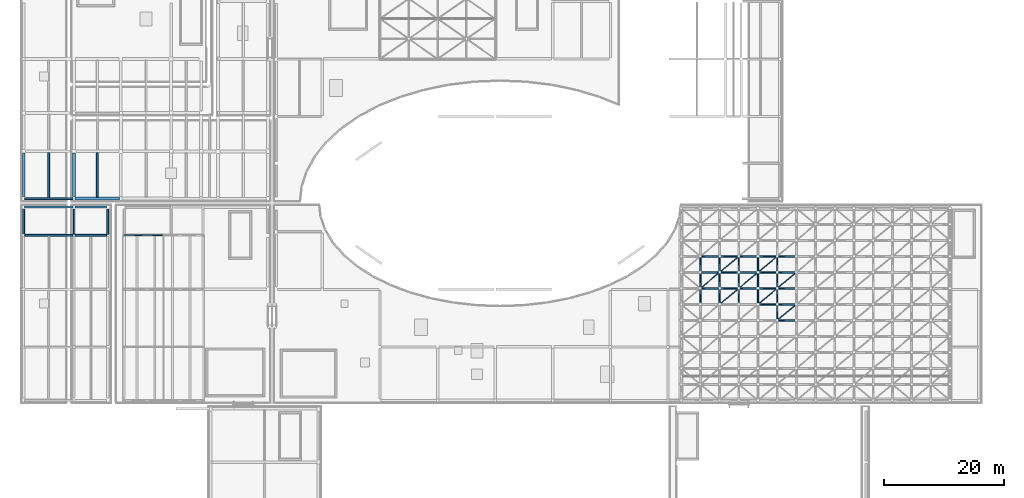
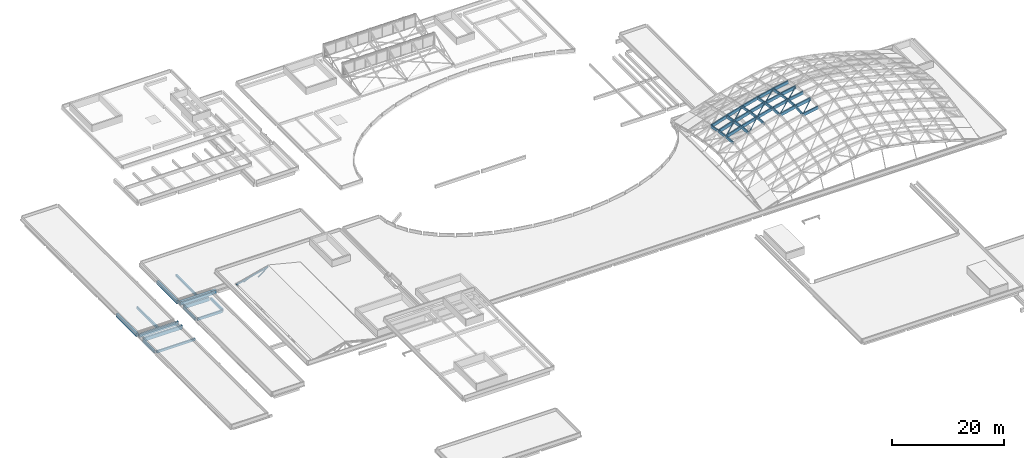
# One storey, part 8 of 40: 45 members, 13 beams.
"""IFC4 building model written with IfcOpenShell, lengths in metres."""

from ifc_helpers import new_model, si_unit, direction, frame, origin, origin_2d, place, context, subcontext, project, spatial, rectangle, hollow_rectangle, hollow_circle, extrude, material, material_profile, profile_set, type_object, element, save


model = new_model("IFC4")

# Units and contexts
model_context = context("Model", 3, precision=1e-05, world=origin(), true_north=direction((0.0, 1.0)))
body_context = subcontext(model_context, "Body", "Model", "MODEL_VIEW")
ifc_project = project(units=[si_unit("LENGTHUNIT", "METRE"), si_unit("AREAUNIT", "SQUARE_METRE"), si_unit("VOLUMEUNIT", "CUBIC_METRE"), si_unit("PLANEANGLEUNIT", "RADIAN"), si_unit("MASSUNIT", "GRAM", prefix="KILO")], contexts=[model_context])

# Site, building, storey
site_placement = place(None, origin())
site = spatial("IfcSite", under=ifc_project, at=site_placement, CompositionType="ELEMENT")
building_placement = place(site_placement, origin())
building = spatial("IfcBuilding", under=site, at=building_placement, Name="Mzevani Central Library", CompositionType="ELEMENT")
storey_placement = place(building_placement, frame((0.0, 0.0, 26.699951171875)))
storey = spatial("IfcBuildingStorey", under=building, at=storey_placement, Name="RF", CompositionType="ELEMENT", Elevation=26.699951171875)

# Members
ifc_material_1 = material(Name="Steel S355J2", Category="steel")
ifc_material_profile_1 = material_profile(ifc_material_1, hollow_rectangle(XDim=0.199951171875, YDim=0.300048828125, WallThickness=0.012451171875, at=origin_2d()), Name="RHS 300x200x12.5")
ifc_profile_set_1 = profile_set([ifc_material_profile_1], Name="Steel S355J2")
member_type_1 = type_object("IfcMemberType", Name="Auditorium Top Chord RHS 300x200", PredefinedType="CHORD", material=ifc_profile_set_1)
member_1_placement = place(storey_placement, frame((21.35009765625, 70.60009765625, -12.909912109375), z_axis=(0.96992814932, 0.0, 0.243391423753), x_axis=(0.0, 1.0, 0.0)))
element("IfcMember", 1, at=member_1_placement, inside=storey, type_object=member_type_1, Name="RF Auditorium Truss 4 West Top Chord", PredefinedType="CHORD", context=body_context, shape_type="SweptSolid", body=[
    extrude(hollow_rectangle(XDim=0.199951171875, YDim=0.300048828125, WallThickness=0.012451171875, at=origin_2d()), origin(), (0.0, 0.0, 1.0), 6.77880859375),
])
ifc_material_profile_2 = material_profile(ifc_material_1, hollow_circle(Radius=0.122314453125, WallThickness=0.012451171875, at=origin_2d()), Name="CHS 244.5x12.5")
ifc_profile_set_2 = profile_set([ifc_material_profile_2], Name="Steel S355J2")
member_type_2 = type_object("IfcMemberType", Name="Auditorium Truss Strut CHS 244.5", PredefinedType="BRACE", material=ifc_profile_set_2)
member_2_placement = place(storey_placement, frame((25.83740234375, 70.60009765625, -12.8798828125), z_axis=(0.790058150896, 0.0, 0.61303190635), x_axis=(0.0, 1.0, 0.0)))
element("IfcMember", 2, at=member_2_placement, inside=storey, type_object=member_type_2, Name="RF Auditorium Truss 4 Web 2", PredefinedType="BRACE", context=body_context, shape_type="SweptSolid", body=[
    extrude(hollow_circle(Radius=0.122314453125, WallThickness=0.012451171875, at=origin_2d()), origin(), (0.0, 0.0, 1.0), 2.642333984375),
])
ifc_material_profile_3 = material_profile(ifc_material_1, hollow_circle(Radius=0.109619140625, WallThickness=0.012451171875, at=origin_2d()), Name="CHS 219.1x12.5")
ifc_profile_set_3 = profile_set([ifc_material_profile_3], Name="Steel S355J2")
member_type_3 = type_object("IfcMemberType", Name="Auditorium Truss Web CHS 219.1", PredefinedType="BRACE", material=ifc_profile_set_3)
member_3_placement = place(storey_placement, frame((22.85009765625, 70.60009765625, -12.8798828125), z_axis=(0.913708586053, 0.0, 0.406370052751), x_axis=(0.0, 1.0, 0.0)))
element("IfcMember", 3, at=member_3_placement, inside=storey, type_object=member_type_3, Name="RF Auditorium Truss 4 Web 1", PredefinedType="BRACE", context=body_context, shape_type="SweptSolid", body=[
    extrude(hollow_circle(Radius=0.109619140625, WallThickness=0.012451171875, at=origin_2d()), origin(), (0.0, 0.0, 1.0), 1.9560546875),
])

# Beams
ifc_material_2 = material(Name="Concrete C35/45", Category="concrete")
ifc_material_profile_4 = material_profile(ifc_material_2, rectangle(XDim=0.300048828125, YDim=0.5, at=origin_2d()), Name="RC B300x500")
ifc_profile_set_4 = profile_set([ifc_material_profile_4], Name="Concrete C35/45")
beam_type_1 = type_object("IfcBeamType", Name="Beam RC 300x500", PredefinedType="BEAM", material=ifc_profile_set_4)
beam_1_placement = place(storey_placement, frame((4.824951171875, 70.60009765625, -21.81005859375), z_axis=(1.0, 0.0, 0.0), x_axis=(0.0, 1.0, 0.0)))
element("IfcBeam", 4, at=beam_1_placement, inside=storey, type_object=beam_type_1, Name="RF V5 Girder B-01 (940)", PredefinedType="BEAM", context=body_context, shape_type="SweptSolid", body=[
    extrude(rectangle(XDim=0.300048828125, YDim=0.5, at=origin_2d()), origin(), (0.0, 0.0, 1.0), 7.949951171875),
])
ifc_material_profile_5 = material_profile(ifc_material_2, rectangle(XDim=0.300048828125, YDim=0.550048828125, at=origin_2d()), Name="RC B300x550")
ifc_profile_set_5 = profile_set([ifc_material_profile_5], Name="Concrete C35/45")
beam_type_2 = type_object("IfcBeamType", Name="Beam RC 300x550", PredefinedType="BEAM", material=ifc_profile_set_5)
beam_2_placement = place(storey_placement, frame((13.199951171875, 70.60009765625, -17.635009765625), z_axis=(1.0, 0.0, 0.0), x_axis=(0.0, 1.0, 0.0)))
element("IfcBeam", 5, at=beam_2_placement, inside=storey, type_object=beam_type_2, Name="RF V5 Girder B-02 (989)", PredefinedType="BEAM", context=body_context, shape_type="SweptSolid", body=[
    extrude(rectangle(XDim=0.300048828125, YDim=0.550048828125, at=origin_2d()), origin(), (0.0, 0.0, 1.0), 5.22509765625),
])
beam_3_placement = place(storey_placement, frame((13.0, 70.800048828125, -17.635009765625), z_axis=(0.0, 1.0, 0.0), x_axis=(-1.0, 0.0, 0.0)))
element("IfcBeam", 6, at=beam_3_placement, inside=storey, type_object=beam_type_2, Name="RF V5 Frame Beam B-02 (1001)", PredefinedType="BEAM", context=body_context, shape_type="SweptSolid", body=[
    extrude(rectangle(XDim=0.300048828125, YDim=0.550048828125, at=origin_2d()), origin(), (0.0, 0.0, 1.0), 4.14990234375),
])
beam_4_placement = place(storey_placement, frame((18.60009765625, 70.77490234375, -17.635009765625), z_axis=(0.0, 1.0, 0.0), x_axis=(-1.0, 0.0, 0.0)))
element("IfcBeam", 7, at=beam_4_placement, inside=storey, type_object=beam_type_2, Name="RF V5 Frame Beam B-02 (1005)", PredefinedType="BEAM", context=body_context, shape_type="SweptSolid", body=[
    extrude(rectangle(XDim=0.300048828125, YDim=0.550048828125, at=origin_2d()), origin(), (0.0, 0.0, 1.0), 4.175048828125),
])
ifc_material_profile_6 = material_profile(ifc_material_2, rectangle(XDim=0.300048828125, YDim=0.60009765625, at=origin_2d()), Name="RC B300x600")
ifc_profile_set_6 = profile_set([ifc_material_profile_6], Name="Concrete C35/45")
beam_type_3 = type_object("IfcBeamType", Name="Beam RC 300x600", PredefinedType="BEAM", material=ifc_profile_set_6)
beam_5_placement = place(storey_placement, frame((4.60009765625, 70.824951171875, -21.85986328125), z_axis=(0.0, 1.0, 0.0), x_axis=(-1.0, 0.0, 0.0)))
element("IfcBeam", 8, at=beam_5_placement, inside=storey, type_object=beam_type_3, Name="RF V5 Frame Beam B-03 (954)", PredefinedType="BEAM", context=body_context, shape_type="SweptSolid", body=[
    extrude(rectangle(XDim=0.300048828125, YDim=0.60009765625, at=origin_2d()), origin(), (0.0, 0.0, 1.0), 4.125),
])
ifc_material_3 = material(Name="Precast concrete C40/50", Category="concrete")
ifc_material_profile_7 = material_profile(ifc_material_3, rectangle(XDim=0.35009765625, YDim=0.800048828125, at=origin_2d()), Name="RC SP350x800")
ifc_profile_set_7 = profile_set([ifc_material_profile_7], Name="Precast concrete C40/50")
beam_type_4 = type_object("IfcBeamType", Name="Colonnade Fascia Beam RC 350x800", PredefinedType="SPANDREL", material=ifc_profile_set_7)
beam_6_placement = place(storey_placement, frame((4.77490234375, 75.300048828125, -21.9599609375), z_axis=(1.0, 0.0, 0.0), x_axis=(0.0, 1.0, 0.0)))
element("IfcBeam", 9, at=beam_6_placement, inside=storey, type_object=beam_type_4, Name="RF V5 Girder SP-02 (945)", PredefinedType="SPANDREL", context=body_context, shape_type="SweptSolid", body=[
    extrude(rectangle(XDim=0.35009765625, YDim=0.800048828125, at=origin_2d()), origin(), (0.0, 0.0, 1.0), 8.050048828125),
])
beam_7_placement = place(storey_placement, frame((13.175048828125, 75.300048828125, -17.760009765625), z_axis=(1.0, 0.0, 0.0), x_axis=(0.0, 1.0, 0.0)))
element("IfcBeam", 10, at=beam_7_placement, inside=storey, type_object=beam_type_4, Name="RF V5 Girder SP-02 (993)", PredefinedType="SPANDREL", context=body_context, shape_type="SweptSolid", body=[
    extrude(rectangle(XDim=0.35009765625, YDim=0.800048828125, at=origin_2d()), origin(), (0.0, 0.0, 1.0), 5.25),
])
ifc_material_profile_8 = material_profile(ifc_material_3, rectangle(XDim=0.300048828125, YDim=0.75, at=origin_2d()), Name="RC SP300x750")
ifc_profile_set_8 = profile_set([ifc_material_profile_8], Name="Precast concrete C40/50")
beam_type_5 = type_object("IfcBeamType", Name="Edge Spandrel Beam RC 300x750", PredefinedType="SPANDREL", material=ifc_profile_set_8)
beam_8_placement = place(storey_placement, frame((4.77490234375, 76.699951171875, -21.93505859375), z_axis=(1.0, 0.0, 0.0), x_axis=(0.0, 1.0, 0.0)))
element("IfcBeam", 11, at=beam_8_placement, inside=storey, type_object=beam_type_5, Name="RF V2 Girder SP-01 (204)", PredefinedType="SPANDREL", context=body_context, shape_type="SweptSolid", body=[
    extrude(rectangle(XDim=0.300048828125, YDim=0.75, at=origin_2d()), origin(), (0.0, 0.0, 1.0), 8.050048828125),
])

# Members
ifc_material_profile_9 = material_profile(ifc_material_1, hollow_circle(Radius=0.05712890625, WallThickness=0.00634765625, at=origin_2d()), Name="CHS 114.3x6.3")
ifc_profile_set_9 = profile_set([ifc_material_profile_9], Name="Steel S355J2")
member_type_4 = type_object("IfcMemberType", Name="Gridshell Diagonal Brace CHS 114.3", PredefinedType="BRACE", material=ifc_profile_set_9)
member_4_placement = place(storey_placement, frame((117.39990234375, 61.7666015625, -8.866455078125), z_axis=(0.759648873515, 0.633021410239, 0.14905530231), x_axis=(-0.640172870191, 0.768230887345, 0.0)))
element("IfcMember", 12, at=member_4_placement, inside=storey, type_object=member_type_4, Name="RF Gridshell Steel Diagonal 2.8", PredefinedType="BRACE", context=body_context, shape_type="SweptSolid", body=[
    extrude(hollow_circle(Radius=0.05712890625, WallThickness=0.00634765625, at=origin_2d()), origin(), (0.0, 0.0, 1.0), 4.212646484375),
])
member_5_placement = place(storey_placement, frame((120.60009765625, 59.10009765625, -7.587890625), z_axis=(0.757247568408, 0.631010753197, 0.168527592664), x_axis=(-0.640167103973, 0.768235692344, 0.0)))
element("IfcMember", 13, at=member_5_placement, inside=storey, type_object=member_type_4, Name="RF Gridshell Steel Diagonal 3.7", PredefinedType="BRACE", context=body_context, shape_type="SweptSolid", body=[
    extrude(hollow_circle(Radius=0.05712890625, WallThickness=0.00634765625, at=origin_2d()), origin(), (0.0, 0.0, 1.0), 4.225830078125),
])
member_6_placement = place(storey_placement, frame((120.60009765625, 64.433349609375, -8.238525390625), z_axis=(0.764152023017, 0.636822503045, 0.102609869574), x_axis=(-0.640201694382, 0.768206867003, 0.0)))
element("IfcMember", 14, at=member_6_placement, inside=storey, type_object=member_type_4, Name="RF Gridshell Steel Diagonal 3.9", PredefinedType="BRACE", context=body_context, shape_type="SweptSolid", body=[
    extrude(hollow_circle(Radius=0.05712890625, WallThickness=0.00634765625, at=origin_2d()), origin(), (0.0, 0.0, 1.0), 4.1875),
])
member_7_placement = place(storey_placement, frame((123.800048828125, 61.7666015625, -6.875732421875), z_axis=(0.764032317897, 0.636722744212, 0.104109385806), x_axis=(-0.640201694382, 0.768206867003, 0.0)))
element("IfcMember", 15, at=member_7_placement, inside=storey, type_object=member_type_4, Name="RF Gridshell Steel Diagonal 4.8", PredefinedType="BRACE", context=body_context, shape_type="SweptSolid", body=[
    extrude(hollow_circle(Radius=0.05712890625, WallThickness=0.00634765625, at=origin_2d()), origin(), (0.0, 0.0, 1.0), 4.188232421875),
])
member_8_placement = place(storey_placement, frame((127.0, 59.10009765625, -5.7890625), z_axis=(0.762964379156, 0.635774544071, 0.116944795737), x_axis=(-0.640167103973, 0.768235692344, 0.0)))
element("IfcMember", 16, at=member_8_placement, inside=storey, type_object=member_type_4, Name="RF Gridshell Steel Diagonal 5.7", PredefinedType="BRACE", context=body_context, shape_type="SweptSolid", body=[
    extrude(hollow_circle(Radius=0.05712890625, WallThickness=0.00634765625, at=origin_2d()), origin(), (0.0, 0.0, 1.0), 4.194091796875),
])
member_9_placement = place(storey_placement, frame((127.0, 64.433349609375, -6.439697265625), z_axis=(0.767250849474, 0.639404976639, 0.049873939403), x_axis=(-0.640201694382, 0.768206867003, 0.0)))
element("IfcMember", 17, at=member_9_placement, inside=storey, type_object=member_type_4, Name="RF Gridshell Steel Diagonal 5.9", PredefinedType="BRACE", context=body_context, shape_type="SweptSolid", body=[
    extrude(hollow_circle(Radius=0.05712890625, WallThickness=0.00634765625, at=origin_2d()), origin(), (0.0, 0.0, 1.0), 4.170654296875),
])
member_10_placement = place(storey_placement, frame((130.199951171875, 56.433349609375, -5.298583984375), z_axis=(0.753897421305, 0.628276610431, 0.192112412235), x_axis=(-0.640201694382, 0.768206867003, 0.0)))
element("IfcMember", 18, at=member_10_placement, inside=storey, type_object=member_type_4, Name="RF Gridshell Steel Diagonal 6.6", PredefinedType="BRACE", context=body_context, shape_type="SweptSolid", body=[
    extrude(hollow_circle(Radius=0.05712890625, WallThickness=0.00634765625, at=origin_2d()), origin(), (0.0, 0.0, 1.0), 4.24462890625),
])
member_11_placement = place(storey_placement, frame((130.199951171875, 61.7666015625, -5.298583984375), z_axis=(0.76760639043, 0.639701274332, 0.039531114179), x_axis=(-0.640201694382, 0.768206867003, 0.0)))
element("IfcMember", 19, at=member_11_placement, inside=storey, type_object=member_type_4, Name="RF Gridshell Steel Diagonal 6.8", PredefinedType="BRACE", context=body_context, shape_type="SweptSolid", body=[
    extrude(hollow_circle(Radius=0.05712890625, WallThickness=0.00634765625, at=origin_2d()), origin(), (0.0, 0.0, 1.0), 4.168701171875),
])
ifc_material_4 = material(Name="Glulam GL28h", Category="wood")
ifc_material_profile_10 = material_profile(ifc_material_4, rectangle(XDim=0.239990234375, YDim=0.6201171875, at=origin_2d()), Name="GL28h 240x620")
ifc_profile_set_10 = profile_set([ifc_material_profile_10], Name="Glulam GL28h")
member_type_5 = type_object("IfcMemberType", Name="Gridshell Primary Rib GL28h 240x620", PredefinedType="RAFTER", material=ifc_profile_set_10)
member_12_placement = place(storey_placement, frame((130.199951171875, 56.433349609375, -5.338623046875), z_axis=(0.984121212692, 0.0, 0.177497714718), x_axis=(0.0, 1.0, 0.0)))
element("IfcMember", 20, at=member_12_placement, inside=storey, type_object=member_type_5, Name="RF Gridshell Glulam Arch Rib X6.6", PredefinedType="RAFTER", context=body_context, shape_type="SweptSolid", body=[
    extrude(rectangle(XDim=0.239990234375, YDim=0.6201171875, at=origin_2d()), origin(), (0.0, 0.0, 1.0), 3.25146484375),
])
member_13_placement = place(storey_placement, frame((117.39990234375, 61.7666015625, -8.906494140625), z_axis=(0.950993540483, 0.0, 0.309210746837), x_axis=(0.0, 1.0, 0.0)))
element("IfcMember", 21, at=member_13_placement, inside=storey, type_object=member_type_5, Name="RF Gridshell Glulam Arch Rib X8.2", PredefinedType="RAFTER", context=body_context, shape_type="SweptSolid", body=[
    extrude(rectangle(XDim=0.239990234375, YDim=0.6201171875, at=origin_2d()), origin(), (0.0, 0.0, 1.0), 3.364990234375),
])
member_14_placement = place(storey_placement, frame((120.60009765625, 61.7666015625, -7.865966796875), z_axis=(0.958629716231, 0.0, 0.284656050627), x_axis=(0.0, 1.0, 0.0)))
element("IfcMember", 22, at=member_14_placement, inside=storey, type_object=member_type_5, Name="RF Gridshell Glulam Arch Rib X8.3", PredefinedType="RAFTER", context=body_context, shape_type="SweptSolid", body=[
    extrude(rectangle(XDim=0.239990234375, YDim=0.6201171875, at=origin_2d()), origin(), (0.0, 0.0, 1.0), 3.338134765625),
])
member_15_placement = place(storey_placement, frame((123.800048828125, 61.7666015625, -6.915771484375), z_axis=(0.966586546506, 0.0, 0.256340492535), x_axis=(0.0, 1.0, 0.0)))
element("IfcMember", 23, at=member_15_placement, inside=storey, type_object=member_type_5, Name="RF Gridshell Glulam Arch Rib X8.4", PredefinedType="RAFTER", context=body_context, shape_type="SweptSolid", body=[
    extrude(rectangle(XDim=0.239990234375, YDim=0.6201171875, at=origin_2d()), origin(), (0.0, 0.0, 1.0), 3.310546875),
])
member_16_placement = place(storey_placement, frame((127.0, 61.7666015625, -6.067138671875), z_axis=(0.975050212006, 0.0, 0.221984423028), x_axis=(0.0, 1.0, 0.0)))
element("IfcMember", 24, at=member_16_placement, inside=storey, type_object=member_type_5, Name="RF Gridshell Glulam Arch Rib X8.5", PredefinedType="RAFTER", context=body_context, shape_type="SweptSolid", body=[
    extrude(rectangle(XDim=0.239990234375, YDim=0.6201171875, at=origin_2d()), origin(), (0.0, 0.0, 1.0), 3.28173828125),
])
member_17_placement = place(storey_placement, frame((130.199951171875, 61.7666015625, -5.338623046875), z_axis=(0.984121212692, 0.0, 0.177497714718), x_axis=(0.0, 1.0, 0.0)))
element("IfcMember", 25, at=member_17_placement, inside=storey, type_object=member_type_5, Name="RF Gridshell Glulam Arch Rib X8.6", PredefinedType="RAFTER", context=body_context, shape_type="SweptSolid", body=[
    extrude(rectangle(XDim=0.239990234375, YDim=0.6201171875, at=origin_2d()), origin(), (0.0, 0.0, 1.0), 3.25146484375),
])
member_18_placement = place(storey_placement, frame((117.39990234375, 67.10009765625, -9.839599609375), z_axis=(0.950993540483, 0.0, 0.309210746837), x_axis=(0.0, 1.0, 0.0)))
element("IfcMember", 26, at=member_18_placement, inside=storey, type_object=member_type_5, Name="RF Gridshell Glulam Arch Rib X10.2", PredefinedType="RAFTER", context=body_context, shape_type="SweptSolid", body=[
    extrude(rectangle(XDim=0.239990234375, YDim=0.6201171875, at=origin_2d()), origin(), (0.0, 0.0, 1.0), 3.364990234375),
])
member_19_placement = place(storey_placement, frame((120.60009765625, 67.10009765625, -8.799072265625), z_axis=(0.958629716231, 0.0, 0.284656050627), x_axis=(0.0, 1.0, 0.0)))
element("IfcMember", 27, at=member_19_placement, inside=storey, type_object=member_type_5, Name="RF Gridshell Glulam Arch Rib X10.3", PredefinedType="RAFTER", context=body_context, shape_type="SweptSolid", body=[
    extrude(rectangle(XDim=0.239990234375, YDim=0.6201171875, at=origin_2d()), origin(), (0.0, 0.0, 1.0), 3.338134765625),
])
member_20_placement = place(storey_placement, frame((123.800048828125, 67.10009765625, -7.848876953125), z_axis=(0.966604816788, 0.0, 0.256271590626), x_axis=(0.0, 1.0, 0.0)))
element("IfcMember", 28, at=member_20_placement, inside=storey, type_object=member_type_5, Name="RF Gridshell Glulam Arch Rib X10.4", PredefinedType="RAFTER", context=body_context, shape_type="SweptSolid", body=[
    extrude(rectangle(XDim=0.239990234375, YDim=0.6201171875, at=origin_2d()), origin(), (0.0, 0.0, 1.0), 3.310546875),
])
member_21_placement = place(storey_placement, frame((127.0, 67.10009765625, -7.00048828125), z_axis=(0.975034107954, 0.0, 0.222055147039), x_axis=(0.0, 1.0, 0.0)))
element("IfcMember", 29, at=member_21_placement, inside=storey, type_object=member_type_5, Name="RF Gridshell Glulam Arch Rib X10.5", PredefinedType="RAFTER", context=body_context, shape_type="SweptSolid", body=[
    extrude(rectangle(XDim=0.239990234375, YDim=0.6201171875, at=origin_2d()), origin(), (0.0, 0.0, 1.0), 3.281982421875),
])
member_22_placement = place(storey_placement, frame((130.199951171875, 67.10009765625, -6.271728515625), z_axis=(0.984121212692, 0.0, 0.177497714718), x_axis=(0.0, 1.0, 0.0)))
element("IfcMember", 30, at=member_22_placement, inside=storey, type_object=member_type_5, Name="RF Gridshell Glulam Arch Rib X10.6", PredefinedType="RAFTER", context=body_context, shape_type="SweptSolid", body=[
    extrude(rectangle(XDim=0.239990234375, YDim=0.6201171875, at=origin_2d()), origin(), (0.0, 0.0, 1.0), 3.25146484375),
])
ifc_material_profile_11 = material_profile(ifc_material_4, rectangle(XDim=0.239990234375, YDim=0.679931640625, at=origin_2d()), Name="GL28h 240x680")
ifc_profile_set_11 = profile_set([ifc_material_profile_11], Name="Glulam GL28h")
member_type_6 = type_object("IfcMemberType", Name="Gridshell Primary Rib GL28h 240x680", PredefinedType="RAFTER", material=ifc_profile_set_11)
member_23_placement = place(storey_placement, frame((127.0, 59.10009765625, -5.859130859375), z_axis=(0.975034107954, 0.0, 0.222055147039), x_axis=(0.0, 1.0, 0.0)))
element("IfcMember", 31, at=member_23_placement, inside=storey, type_object=member_type_6, Name="RF Gridshell Glulam Arch Rib X7.5", PredefinedType="RAFTER", context=body_context, shape_type="SweptSolid", body=[
    extrude(rectangle(XDim=0.239990234375, YDim=0.679931640625, at=origin_2d()), origin(), (0.0, 0.0, 1.0), 3.281982421875),
])
member_24_placement = place(storey_placement, frame((130.199951171875, 59.10009765625, -5.13037109375), z_axis=(0.984121212692, 0.0, 0.177497714718), x_axis=(0.0, 1.0, 0.0)))
element("IfcMember", 32, at=member_24_placement, inside=storey, type_object=member_type_6, Name="RF Gridshell Glulam Arch Rib X7.6", PredefinedType="RAFTER", context=body_context, shape_type="SweptSolid", body=[
    extrude(rectangle(XDim=0.239990234375, YDim=0.679931640625, at=origin_2d()), origin(), (0.0, 0.0, 1.0), 3.25146484375),
])
member_25_placement = place(storey_placement, frame((117.39990234375, 64.433349609375, -9.348876953125), z_axis=(0.951014872747, 0.0, 0.309145130666), x_axis=(0.0, 1.0, 0.0)))
element("IfcMember", 33, at=member_25_placement, inside=storey, type_object=member_type_6, Name="RF Gridshell Glulam Arch Rib X9.2", PredefinedType="RAFTER", context=body_context, shape_type="SweptSolid", body=[
    extrude(rectangle(XDim=0.239990234375, YDim=0.679931640625, at=origin_2d()), origin(), (0.0, 0.0, 1.0), 3.364990234375),
])
member_26_placement = place(storey_placement, frame((120.60009765625, 64.433349609375, -8.30859375), z_axis=(0.958609756204, 0.0, 0.284723260922), x_axis=(0.0, 1.0, 0.0)))
element("IfcMember", 34, at=member_26_placement, inside=storey, type_object=member_type_6, Name="RF Gridshell Glulam Arch Rib X9.3", PredefinedType="RAFTER", context=body_context, shape_type="SweptSolid", body=[
    extrude(rectangle(XDim=0.239990234375, YDim=0.679931640625, at=origin_2d()), origin(), (0.0, 0.0, 1.0), 3.338134765625),
])
member_27_placement = place(storey_placement, frame((123.800048828125, 64.433349609375, -7.358154296875), z_axis=(0.966604816788, 0.0, 0.256271590626), x_axis=(0.0, 1.0, 0.0)))
element("IfcMember", 35, at=member_27_placement, inside=storey, type_object=member_type_6, Name="RF Gridshell Glulam Arch Rib X9.4", PredefinedType="RAFTER", context=body_context, shape_type="SweptSolid", body=[
    extrude(rectangle(XDim=0.239990234375, YDim=0.679931640625, at=origin_2d()), origin(), (0.0, 0.0, 1.0), 3.310546875),
])
member_28_placement = place(storey_placement, frame((127.0, 64.433349609375, -6.509765625), z_axis=(0.975034107954, 0.0, 0.222055147039), x_axis=(0.0, 1.0, 0.0)))
element("IfcMember", 36, at=member_28_placement, inside=storey, type_object=member_type_6, Name="RF Gridshell Glulam Arch Rib X9.5", PredefinedType="RAFTER", context=body_context, shape_type="SweptSolid", body=[
    extrude(rectangle(XDim=0.239990234375, YDim=0.679931640625, at=origin_2d()), origin(), (0.0, 0.0, 1.0), 3.281982421875),
])
member_29_placement = place(storey_placement, frame((130.199951171875, 64.433349609375, -5.781005859375), z_axis=(0.984121212692, 0.0, 0.177497714718), x_axis=(0.0, 1.0, 0.0)))
element("IfcMember", 37, at=member_29_placement, inside=storey, type_object=member_type_6, Name="RF Gridshell Glulam Arch Rib X9.6", PredefinedType="RAFTER", context=body_context, shape_type="SweptSolid", body=[
    extrude(rectangle(XDim=0.239990234375, YDim=0.679931640625, at=origin_2d()), origin(), (0.0, 0.0, 1.0), 3.25146484375),
])
ifc_material_profile_12 = material_profile(ifc_material_4, rectangle(XDim=0.219970703125, YDim=0.52001953125, at=origin_2d()), Name="GL28h 220x520")
ifc_profile_set_12 = profile_set([ifc_material_profile_12], Name="Glulam GL28h")
member_type_7 = type_object("IfcMemberType", Name="Gridshell Transverse Rib GL28h 220x520", PredefinedType="RAFTER", material=ifc_profile_set_12)
member_30_placement = place(storey_placement, frame((117.39990234375, 59.10009765625, -8.6181640625), z_axis=(0.0, 0.996031067036, -0.089006255395), x_axis=(-1.0, 0.0, 0.0)))
element("IfcMember", 38, at=member_30_placement, inside=storey, type_object=member_type_7, Name="RF Gridshell Glulam Transverse Rib Y2.7", PredefinedType="RAFTER", context=body_context, shape_type="SweptSolid", body=[
    extrude(rectangle(XDim=0.219970703125, YDim=0.52001953125, at=origin_2d()), origin(), (0.0, 0.0, 1.0), 2.67724609375),
])
member_31_placement = place(storey_placement, frame((117.39990234375, 61.7666015625, -8.8564453125), z_axis=(0.0, 0.988255309049, -0.152811793187), x_axis=(-1.0, 0.0, 0.0)))
element("IfcMember", 39, at=member_31_placement, inside=storey, type_object=member_type_7, Name="RF Gridshell Glulam Transverse Rib Y2.8", PredefinedType="RAFTER", context=body_context, shape_type="SweptSolid", body=[
    extrude(rectangle(XDim=0.219970703125, YDim=0.52001953125, at=origin_2d()), origin(), (0.0, 0.0, 1.0), 2.698486328125),
])
member_32_placement = place(storey_placement, frame((117.39990234375, 64.433349609375, -9.268798828125), z_axis=(0.0, 0.981462157865, -0.191656026982), x_axis=(-1.0, 0.0, 0.0)))
element("IfcMember", 40, at=member_32_placement, inside=storey, type_object=member_type_7, Name="RF Gridshell Glulam Transverse Rib Y2.9", PredefinedType="RAFTER", context=body_context, shape_type="SweptSolid", body=[
    extrude(rectangle(XDim=0.219970703125, YDim=0.52001953125, at=origin_2d()), origin(), (0.0, 0.0, 1.0), 2.717041015625),
])
member_33_placement = place(storey_placement, frame((123.800048828125, 59.10009765625, -6.62744140625), z_axis=(0.0, 0.996031067036, -0.089006255395), x_axis=(-1.0, 0.0, 0.0)))
element("IfcMember", 41, at=member_33_placement, inside=storey, type_object=member_type_7, Name="RF Gridshell Glulam Transverse Rib Y4.7", PredefinedType="RAFTER", context=body_context, shape_type="SweptSolid", body=[
    extrude(rectangle(XDim=0.219970703125, YDim=0.52001953125, at=origin_2d()), origin(), (0.0, 0.0, 1.0), 2.67724609375),
])
member_34_placement = place(storey_placement, frame((123.800048828125, 61.7666015625, -6.86572265625), z_axis=(0.0, 0.988255309049, -0.152811793187), x_axis=(-1.0, 0.0, 0.0)))
element("IfcMember", 42, at=member_34_placement, inside=storey, type_object=member_type_7, Name="RF Gridshell Glulam Transverse Rib Y4.8", PredefinedType="RAFTER", context=body_context, shape_type="SweptSolid", body=[
    extrude(rectangle(XDim=0.219970703125, YDim=0.52001953125, at=origin_2d()), origin(), (0.0, 0.0, 1.0), 2.698486328125),
])
member_35_placement = place(storey_placement, frame((123.800048828125, 64.433349609375, -7.278076171875), z_axis=(0.0, 0.981462157865, -0.191656026982), x_axis=(-1.0, 0.0, 0.0)))
element("IfcMember", 43, at=member_35_placement, inside=storey, type_object=member_type_7, Name="RF Gridshell Glulam Transverse Rib Y4.9", PredefinedType="RAFTER", context=body_context, shape_type="SweptSolid", body=[
    extrude(rectangle(XDim=0.219970703125, YDim=0.52001953125, at=origin_2d()), origin(), (0.0, 0.0, 1.0), 2.717041015625),
])
member_36_placement = place(storey_placement, frame((130.199951171875, 56.433349609375, -5.28857421875), z_axis=(0.0, 0.996039868593, 0.08890770593), x_axis=(-1.0, 0.0, 0.0)))
element("IfcMember", 44, at=member_36_placement, inside=storey, type_object=member_type_7, Name="RF Gridshell Glulam Transverse Rib Y6.6", PredefinedType="RAFTER", context=body_context, shape_type="SweptSolid", body=[
    extrude(rectangle(XDim=0.219970703125, YDim=0.52001953125, at=origin_2d()), origin(), (0.0, 0.0, 1.0), 2.67724609375),
])
member_37_placement = place(storey_placement, frame((130.199951171875, 59.10009765625, -5.050537109375), z_axis=(0.0, 0.996039147696, -0.088915781817), x_axis=(-1.0, 0.0, 0.0)))
element("IfcMember", 45, at=member_37_placement, inside=storey, type_object=member_type_7, Name="RF Gridshell Glulam Transverse Rib Y6.7", PredefinedType="RAFTER", context=body_context, shape_type="SweptSolid", body=[
    extrude(rectangle(XDim=0.219970703125, YDim=0.52001953125, at=origin_2d()), origin(), (0.0, 0.0, 1.0), 2.677001953125),
])
member_38_placement = place(storey_placement, frame((130.199951171875, 61.7666015625, -5.28857421875), z_axis=(0.0, 0.988241642061, -0.152900153354), x_axis=(-1.0, 0.0, 0.0)))
element("IfcMember", 46, at=member_38_placement, inside=storey, type_object=member_type_7, Name="RF Gridshell Glulam Transverse Rib Y6.8", PredefinedType="RAFTER", context=body_context, shape_type="SweptSolid", body=[
    extrude(rectangle(XDim=0.219970703125, YDim=0.52001953125, at=origin_2d()), origin(), (0.0, 0.0, 1.0), 2.698486328125),
])
member_39_placement = place(storey_placement, frame((130.199951171875, 64.433349609375, -5.701171875), z_axis=(0.0, 0.981479055934, -0.191569472421), x_axis=(-1.0, 0.0, 0.0)))
element("IfcMember", 47, at=member_39_placement, inside=storey, type_object=member_type_7, Name="RF Gridshell Glulam Transverse Rib Y6.9", PredefinedType="RAFTER", context=body_context, shape_type="SweptSolid", body=[
    extrude(rectangle(XDim=0.219970703125, YDim=0.52001953125, at=origin_2d()), origin(), (0.0, 0.0, 1.0), 2.717041015625),
])
ifc_material_profile_13 = material_profile(ifc_material_4, rectangle(XDim=0.219970703125, YDim=0.580078125, at=origin_2d()), Name="GL28h 220x580")
ifc_profile_set_13 = profile_set([ifc_material_profile_13], Name="Glulam GL28h")
member_type_8 = type_object("IfcMemberType", Name="Gridshell Transverse Rib GL28h 220x580", PredefinedType="RAFTER", material=ifc_profile_set_13)
member_40_placement = place(storey_placement, frame((120.60009765625, 59.10009765625, -7.60791015625), z_axis=(0.0, 0.996039147696, -0.088915781817), x_axis=(-1.0, 0.0, 0.0)))
element("IfcMember", 48, at=member_40_placement, inside=storey, type_object=member_type_8, Name="RF Gridshell Glulam Transverse Rib Y3.7", PredefinedType="RAFTER", context=body_context, shape_type="SweptSolid", body=[
    extrude(rectangle(XDim=0.219970703125, YDim=0.580078125, at=origin_2d()), origin(), (0.0, 0.0, 1.0), 2.677001953125),
])
member_41_placement = place(storey_placement, frame((120.60009765625, 61.7666015625, -7.845947265625), z_axis=(0.0, 0.988241642061, -0.152900153354), x_axis=(-1.0, 0.0, 0.0)))
element("IfcMember", 49, at=member_41_placement, inside=storey, type_object=member_type_8, Name="RF Gridshell Glulam Transverse Rib Y3.8", PredefinedType="RAFTER", context=body_context, shape_type="SweptSolid", body=[
    extrude(rectangle(XDim=0.219970703125, YDim=0.580078125, at=origin_2d()), origin(), (0.0, 0.0, 1.0), 2.698486328125),
])
member_42_placement = place(storey_placement, frame((120.60009765625, 64.433349609375, -8.258544921875), z_axis=(0.0, 0.981462157865, -0.191656026982), x_axis=(-1.0, 0.0, 0.0)))
element("IfcMember", 50, at=member_42_placement, inside=storey, type_object=member_type_8, Name="RF Gridshell Glulam Transverse Rib Y3.9", PredefinedType="RAFTER", context=body_context, shape_type="SweptSolid", body=[
    extrude(rectangle(XDim=0.219970703125, YDim=0.580078125, at=origin_2d()), origin(), (0.0, 0.0, 1.0), 2.717041015625),
])
member_43_placement = place(storey_placement, frame((127.0, 59.10009765625, -5.80908203125), z_axis=(0.0, 0.996031067036, -0.089006255395), x_axis=(-1.0, 0.0, 0.0)))
element("IfcMember", 51, at=member_43_placement, inside=storey, type_object=member_type_8, Name="RF Gridshell Glulam Transverse Rib Y5.7", PredefinedType="RAFTER", context=body_context, shape_type="SweptSolid", body=[
    extrude(rectangle(XDim=0.219970703125, YDim=0.580078125, at=origin_2d()), origin(), (0.0, 0.0, 1.0), 2.67724609375),
])
member_44_placement = place(storey_placement, frame((127.0, 61.7666015625, -6.04736328125), z_axis=(0.0, 0.988255309049, -0.152811793187), x_axis=(-1.0, 0.0, 0.0)))
element("IfcMember", 52, at=member_44_placement, inside=storey, type_object=member_type_8, Name="RF Gridshell Glulam Transverse Rib Y5.8", PredefinedType="RAFTER", context=body_context, shape_type="SweptSolid", body=[
    extrude(rectangle(XDim=0.219970703125, YDim=0.580078125, at=origin_2d()), origin(), (0.0, 0.0, 1.0), 2.698486328125),
])
member_45_placement = place(storey_placement, frame((127.0, 64.433349609375, -6.459716796875), z_axis=(0.0, 0.981462157865, -0.191656026982), x_axis=(-1.0, 0.0, 0.0)))
element("IfcMember", 53, at=member_45_placement, inside=storey, type_object=member_type_8, Name="RF Gridshell Glulam Transverse Rib Y5.9", PredefinedType="RAFTER", context=body_context, shape_type="SweptSolid", body=[
    extrude(rectangle(XDim=0.219970703125, YDim=0.580078125, at=origin_2d()), origin(), (0.0, 0.0, 1.0), 2.717041015625),
])

# Beams
ifc_material_5 = material(Name="Concrete C40/50", Category="concrete")
ifc_material_profile_14 = material_profile(ifc_material_5, rectangle(XDim=0.449951171875, YDim=0.699951171875, at=origin_2d()), Name="RC B450x700")
ifc_profile_set_14 = profile_set([ifc_material_profile_14], Name="Concrete C40/50")
beam_type_6 = type_object("IfcBeamType", Name="Stack Girder RC 450x700", PredefinedType="BEAM", material=ifc_profile_set_14)
for number, where, z_axis, x_axis, name in (
    (54, (4.60009765625, 77.050048828125, -21.909912109375), (0.0, 1.0, 0.0), (-1.0, 0.0, 0.0), "RF V2 Frame Beam BG-01 (231)"),
    (55, (13.0, 77.050048828125, -17.7099609375), (0.0, 1.0, 0.0), (-1.0, 0.0, 0.0), "RF V2 Frame Beam BG-01 (301)"),
):
    element("IfcBeam", number, at=place(storey_placement, frame(where, z_axis=z_axis, x_axis=x_axis)), inside=storey, type_object=beam_type_6, Name=name, PredefinedType="BEAM", context=body_context, shape_type="SweptSolid", body=[
        extrude(rectangle(XDim=0.449951171875, YDim=0.699951171875, at=origin_2d()), origin(), (0.0, 0.0, 1.0), 7.25),
    ])
ifc_material_profile_15 = material_profile(ifc_material_5, rectangle(XDim=0.5, YDim=0.800048828125, at=origin_2d()), Name="RC B500x800")
ifc_profile_set_15 = profile_set([ifc_material_profile_15], Name="Concrete C40/50")
beam_type_7 = type_object("IfcBeamType", Name="Stack Girder RC 500x800", PredefinedType="BEAM", material=ifc_profile_set_15)
beam_9_placement = place(storey_placement, frame((13.175048828125, 76.699951171875, -17.760009765625), z_axis=(1.0, 0.0, 0.0), x_axis=(0.0, 1.0, 0.0)))
element("IfcBeam", 56, at=beam_9_placement, inside=storey, type_object=beam_type_7, Name="RF V2 Girder BG-05 (277)", PredefinedType="BEAM", context=body_context, shape_type="SweptSolid", body=[
    extrude(rectangle(XDim=0.5, YDim=0.800048828125, at=origin_2d()), origin(), (0.0, 0.0, 1.0), 7.449951171875),
])
ifc_material_profile_16 = material_profile(ifc_material_5, rectangle(XDim=0.300048828125, YDim=0.52001953125, at=origin_2d()), Name="RC J300x520")
ifc_profile_set_16 = profile_set([ifc_material_profile_16], Name="Concrete C40/50")
beam_type_8 = type_object("IfcBeamType", Name="Stack Joist RC 300x520", PredefinedType="JOIST", material=ifc_profile_set_16)
beam_10_placement = place(storey_placement, frame((8.78759765625, 76.85009765625, -21.820068359375), z_axis=(0.0, 1.0, 0.0), x_axis=(-1.0, 0.0, 0.0)))
element("IfcBeam", 57, at=beam_10_placement, inside=storey, type_object=beam_type_8, Name="RF V2 Floor Joist BJ-04 (259)", PredefinedType="JOIST", context=body_context, shape_type="SweptSolid", body=[
    extrude(rectangle(XDim=0.300048828125, YDim=0.52001953125, at=origin_2d()), origin(), (0.0, 0.0, 1.0), 7.52490234375),
])
beam_11_placement = place(storey_placement, frame((16.887451171875, 76.949951171875, -17.619873046875), z_axis=(0.0, 1.0, 0.0), x_axis=(-1.0, 0.0, 0.0)))
element("IfcBeam", 58, at=beam_11_placement, inside=storey, type_object=beam_type_8, Name="RF V2 Floor Joist BJ-04 (325)", PredefinedType="JOIST", context=body_context, shape_type="SweptSolid", body=[
    extrude(rectangle(XDim=0.300048828125, YDim=0.52001953125, at=origin_2d()), origin(), (0.0, 0.0, 1.0), 7.425048828125),
])

save(model, "model.ifc")
